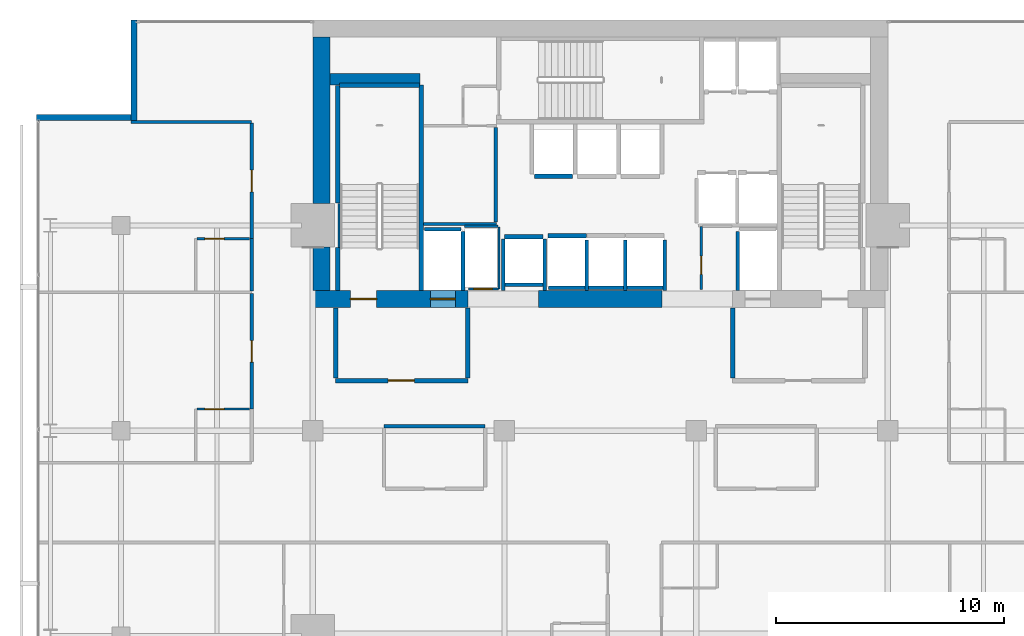
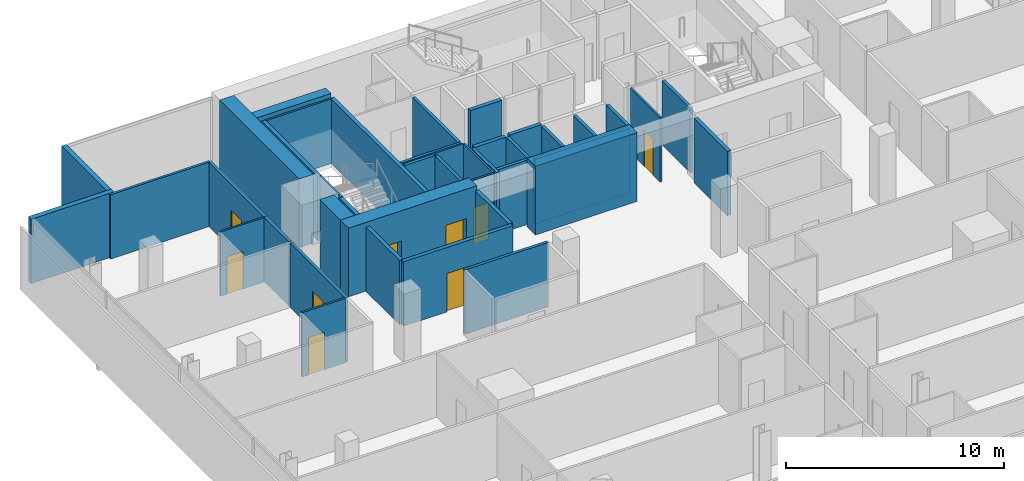
# One storey, part 29 of 33: 42 walls, 9 doors, 9 openings.
"""IFC4 building model written with IfcOpenShell, lengths in metres."""

from ifc_helpers import new_model, si_unit, direction, frame, frame_2d, origin, place, context, subcontext, project, spatial, rectangle, extrude, material, layer, layer_set, type_object, element, fill, save


model = new_model("IFC4")

# Units and contexts
model_context = context("Model", 3, precision=1e-05, world=origin(), true_north=direction((0.0, 1.0)))
body_context = subcontext(model_context, "Body", "Model", "MODEL_VIEW")
ifc_project = project(units=[si_unit("LENGTHUNIT", "METRE"), si_unit("AREAUNIT", "SQUARE_METRE"), si_unit("VOLUMEUNIT", "CUBIC_METRE"), si_unit("PLANEANGLEUNIT", "RADIAN"), si_unit("MASSUNIT", "GRAM", prefix="KILO")], contexts=[model_context])

# Site, building, storey
site_placement = place(None, origin())
site = spatial("IfcSite", under=ifc_project, at=site_placement, CompositionType="ELEMENT")
building_placement = place(site_placement, origin())
building = spatial("IfcBuilding", under=site, at=building_placement, Name="Maruvema Waterfront Hotel and Observation Tower", CompositionType="ELEMENT")
storey_placement = place(building_placement, frame((0.0, 0.0, 154.35009765625)))
storey = spatial("IfcBuildingStorey", under=building, at=storey_placement, Name="L37", CompositionType="ELEMENT", Elevation=154.35009765625)

# Walls
ifc_material_1 = material(Name="Twin-stud acoustic gypsum drywall", Category="gypsum")
ifc_layer_1 = layer(ifc_material_1, 0.14990234375, Name="Acoustic Corridor and Suite Demising Wall 150 mm")
ifc_layer_set_1 = layer_set([ifc_layer_1], Name="Twin-stud acoustic gypsum drywall")
wall_type_1 = type_object("IfcWallType", Name="Acoustic Corridor and Suite Demising Wall 150 mm", PredefinedType="PARTITIONING", material=ifc_layer_set_1)
wall_1_placement = place(storey_placement, frame((30.06005859375, 45.06005859375, 0.0), z_axis=(0.0, 0.0, 1.0), x_axis=(1.0, 0.0, 0.0)))
element("IfcWall", 1, at=wall_1_placement, inside=storey, type_object=wall_type_1, Name="L37 Freed B1 South Wall 012", PredefinedType="PARTITIONING", context=body_context, shape_type="SweptSolid", body=[
    extrude(rectangle(XDim=3.179931640625, YDim=0.14990234375, at=frame_2d((1.58984375, 0.0))), origin(), (0.0, 0.0, 1.0), 3.60986328125),
])
wall_2_placement = place(storey_placement, frame((33.219970703125, 45.139892578125, 0.0), z_axis=(0.0, 0.0, 1.0), x_axis=(0.0, 1.0, 0.0)))
element("IfcWall", 2, at=wall_2_placement, inside=storey, type_object=wall_type_1, Name="L37 Freed B1 East Wall 013", PredefinedType="PARTITIONING", context=body_context, shape_type="SweptSolid", body=[
    extrude(rectangle(XDim=4.16015625, YDim=0.14990234375, at=frame_2d((2.080078125, 0.0))), origin(), (0.0, 0.0, 1.0), 3.60986328125),
])
wall_3_placement = place(storey_placement, frame((28.320068359375, 36.199951171875, 0.0), z_axis=(0.0, 0.0, 1.0), x_axis=(1.0, 0.0, 0.0)))
element("IfcWall", 3, at=wall_3_placement, inside=storey, type_object=wall_type_1, Name="L37 L37-M1 Back Wall 017", PredefinedType="PARTITIONING", context=body_context, shape_type="SweptSolid", body=[
    extrude(rectangle(XDim=4.429931640625, YDim=0.14990234375, at=frame_2d((2.21484375, 0.0))), origin(), (0.0, 0.0, 1.0), 3.60986328125),
])

# Wall, opening, door
wall_4_placement = place(storey_placement, frame((22.52001953125, 36.949951171875, 0.0), z_axis=(0.0, 0.0, 1.0), x_axis=(0.0, 1.0, 0.0)))
wall_4 = element("IfcWall", 4, at=wall_4_placement, inside=storey, type_object=wall_type_1, Name="L37 Room L37-NW1 Corridor Wall 099", PredefinedType="PARTITIONING", context=body_context, shape_type="SweptSolid", body=[
    extrude(rectangle(XDim=5.058837890625, YDim=0.14990234375, at=frame_2d((2.529296875, 0.0))), origin(), (0.0, 0.0, 1.0), 3.60986328125),
])
opening_1_placement = place(wall_4_placement, frame((2.054443359375, 0.0, 0.0)))
opening_1 = element("IfcOpeningElement", 5, at=opening_1_placement, cuts=wall_4, Name="Opening DR-095", PredefinedType="OPENING", context=body_context, shape_type="SweptSolid", body=[
    extrude(rectangle(XDim=0.949951171875, YDim=2.14990234375, at=frame_2d((0.47509765625, 1.074951171875))), frame((0.0, 0.0849609375, 0.0), z_axis=(0.0, -1.0, 0.0), x_axis=(1.0, 0.0, 0.0)), (0.0, 0.0, 1.0), 0.169921875),
])
ifc_material_2 = material(Name="Acoustic solid-core hardwood timber leaf", Category="wood")
door_type_1 = type_object("IfcDoorType", Name="Guestroom Entrance Fire Door 950x2150 mm", OperationType="NOTDEFINED", PredefinedType="DOOR", material=ifc_material_2)
door_1_placement = place(opening_1_placement, origin())
door_1 = element("IfcDoor", 6, at=door_1_placement, inside=storey, type_object=door_type_1, Name="L37 Room L37-NW1 Entrance Door", OperationType="SINGLE_SWING_RIGHT", OverallHeight=2.14990234375, OverallWidth=0.949951171875, PredefinedType="DOOR", context=body_context, shape_type="SweptSolid", body=[
    extrude(rectangle(XDim=0.949951171875, YDim=2.14990234375, at=frame_2d((0.47509765625, 1.074951171875))), frame((0.0, 0.02490234375, 0.0), z_axis=(0.0, -1.0, 0.0), x_axis=(1.0, 0.0, 0.0)), (0.0, 0.0, 1.0), 0.050048828125),
])
fill(opening_1, door_1)

# Wall
wall_5_placement = place(storey_placement, frame((22.52001953125, 42.12890625, 0.0), z_axis=(0.0, 0.0, 1.0), x_axis=(0.0, 1.0, 0.0)))
element("IfcWall", 7, at=wall_5_placement, inside=storey, type_object=wall_type_1, Name="L37 Bath L37-NW2 Wall 108", PredefinedType="PARTITIONING", context=body_context, shape_type="SweptSolid", body=[
    extrude(rectangle(XDim=2.289794921875, YDim=0.14990234375, at=frame_2d((1.14501953125, 0.0))), origin(), (0.0, 0.0, 1.0), 3.60986328125),
])

# Wall, opening, door
wall_6_placement = place(storey_placement, frame((22.52001953125, 44.418701171875, 0.0), z_axis=(0.0, 0.0, 1.0), x_axis=(0.0, 1.0, 0.0)))
wall_6 = element("IfcWall", 8, at=wall_6_placement, inside=storey, type_object=wall_type_1, Name="L37 Room L37-NW2 Corridor Wall 109", PredefinedType="PARTITIONING", context=body_context, shape_type="SweptSolid", body=[
    extrude(rectangle(XDim=5.058837890625, YDim=0.14990234375, at=frame_2d((2.529296875, 0.0))), origin(), (0.0, 0.0, 1.0), 3.60986328125),
])
opening_2_placement = place(wall_6_placement, frame((2.054443359375, 0.0, 0.0)))
opening_2 = element("IfcOpeningElement", 9, at=opening_2_placement, cuts=wall_6, Name="Opening DR-095", PredefinedType="OPENING", context=body_context, shape_type="SweptSolid", body=[
    extrude(rectangle(XDim=0.949951171875, YDim=2.14990234375, at=frame_2d((0.47509765625, 1.074951171875))), frame((0.0, 0.0849609375, 0.0), z_axis=(0.0, -1.0, 0.0), x_axis=(1.0, 0.0, 0.0)), (0.0, 0.0, 1.0), 0.169921875),
])
door_2_placement = place(opening_2_placement, origin())
door_2 = element("IfcDoor", 10, at=door_2_placement, inside=storey, type_object=door_type_1, Name="L37 Room L37-NW2 Entrance Door", OperationType="SINGLE_SWING_RIGHT", OverallHeight=2.14990234375, OverallWidth=0.949951171875, PredefinedType="DOOR", context=body_context, shape_type="SweptSolid", body=[
    extrude(rectangle(XDim=0.949951171875, YDim=2.14990234375, at=frame_2d((0.47509765625, 1.074951171875))), frame((0.0, 0.02490234375, 0.0), z_axis=(0.0, -1.0, 0.0), x_axis=(1.0, 0.0, 0.0)), (0.0, 0.0, 1.0), 0.050048828125),
])
fill(opening_2, door_2)

# Walls
ifc_material_3 = material(Name="Precast concrete C45/55", Category="concrete")
ifc_layer_2 = layer(ifc_material_3, 0.199951171875, Name="Core Shaft and Stairwell Enclosure Wall 200 mm")
ifc_layer_set_2 = layer_set([ifc_layer_2], Name="Precast concrete C45/55")
wall_type_2 = type_object("IfcWallType", Name="Core Shaft and Stairwell Enclosure Wall 200 mm", PredefinedType="SOLIDWALL", material=ifc_layer_set_2)
wall_7_placement = place(storey_placement, frame((29.949951171875, 42.14990234375, 0.0), z_axis=(0.0, 0.0, 1.0), x_axis=(0.0, 1.0, 0.0)))
element("IfcWall", 11, at=wall_7_placement, inside=storey, type_object=wall_type_2, Name="L37 Stairwell ST-01 East Shaft Wall", PredefinedType="SOLIDWALL", context=body_context, shape_type="SweptSolid", body=[
    extrude(rectangle(XDim=9.0, YDim=0.199951171875, at=frame_2d((4.5, 0.0))), origin(), (0.0, 0.0, 1.0), 3.60986328125),
])
wall_8_placement = place(storey_placement, frame((26.300048828125, 42.14990234375, 0.0), z_axis=(0.0, 0.0, 1.0), x_axis=(0.0, 1.0, 0.0)))
element("IfcWall", 12, at=wall_8_placement, inside=storey, type_object=wall_type_2, Name="L37 Stairwell ST-01 Shaft Lining Wall", PredefinedType="SOLIDWALL", context=body_context, shape_type="SweptSolid", body=[
    extrude(rectangle(XDim=1.8701171875, YDim=0.199951171875, at=frame_2d((0.93505859375, 0.0))), origin(), (0.0, 0.0, 1.0), 3.60986328125),
])
wall_9_placement = place(storey_placement, frame((26.300048828125, 45.97998046875, 0.0), z_axis=(0.0, 0.0, 1.0), x_axis=(0.0, 1.0, 0.0)))
element("IfcWall", 13, at=wall_9_placement, inside=storey, type_object=wall_type_2, Name="L37 Stairwell ST-01 Shaft Lining Wall", PredefinedType="SOLIDWALL", context=body_context, shape_type="SweptSolid", body=[
    extrude(rectangle(XDim=5.14013671875, YDim=0.199951171875, at=frame_2d((2.570068359375, 0.0))), origin(), (0.0, 0.0, 1.0), 3.60986328125),
])
wall_10_placement = place(storey_placement, frame((26.3798828125, 51.14990234375, 0.0), z_axis=(0.0, 0.0, 1.0), x_axis=(1.0, 0.0, 0.0)))
element("IfcWall", 14, at=wall_10_placement, inside=storey, type_object=wall_type_2, Name="L37 Stairwell ST-01 Shaft Lining Wall", PredefinedType="SOLIDWALL", context=body_context, shape_type="SweptSolid", body=[
    extrude(rectangle(XDim=3.5, YDim=0.199951171875, at=frame_2d((1.75, 0.0))), origin(), (0.0, 0.0, 1.0), 3.60986328125),
])
wall_11_placement = place(storey_placement, frame((35.510009765625, 44.550048828125, 0.0), z_axis=(0.0, 0.0, 1.0), x_axis=(1.0, 0.0, 0.0)))
element("IfcWall", 15, at=wall_11_placement, inside=storey, type_object=wall_type_2, Name="L37 Lift LF-09 Hoistway Front Wall", PredefinedType="SOLIDWALL", context=body_context, shape_type="SweptSolid", body=[
    extrude(rectangle(XDim=1.679931640625, YDim=0.199951171875, at=frame_2d((0.83984375, 0.0))), origin(), (0.0, 0.0, 1.0), 3.60986328125),
])
wall_12_placement = place(storey_placement, frame((34.909912109375, 47.14990234375, 0.0), z_axis=(0.0, 0.0, 1.0), x_axis=(1.0, 0.0, 0.0)))
element("IfcWall", 16, at=wall_12_placement, inside=storey, type_object=wall_type_2, Name="L37 Lift LF-12 Hoistway Front Wall", PredefinedType="SOLIDWALL", context=body_context, shape_type="SweptSolid", body=[
    extrude(rectangle(XDim=1.68017578125, YDim=0.199951171875, at=frame_2d((0.840087890625, 0.0))), origin(), (0.0, 0.0, 1.0), 3.60986328125),
])
wall_13_placement = place(storey_placement, frame((33.610107421875, 44.5, 0.0), z_axis=(0.0, 0.0, 1.0), x_axis=(1.0, 0.0, 0.0)))
element("IfcWall", 17, at=wall_13_placement, inside=storey, type_object=wall_type_2, Name="L37 Lift LF-15 Hoistway Front Wall", PredefinedType="SOLIDWALL", context=body_context, shape_type="SweptSolid", body=[
    extrude(rectangle(XDim=1.679931640625, YDim=0.199951171875, at=frame_2d((0.83984375, 0.0))), origin(), (0.0, 0.0, 1.0), 3.60986328125),
])
ifc_material_4 = material(Name="Concrete C70/85", Category="concrete")
ifc_layer_3 = layer(ifc_material_4, 0.5, Name="Core Shear Wall 500 mm")
ifc_layer_set_3 = layer_set([ifc_layer_3], Name="Concrete C70/85")
wall_type_3 = type_object("IfcWallType", Name="Core Shear Wall 500 mm", PredefinedType="SHEAR", material=ifc_layer_set_3)
wall_14_placement = place(storey_placement, frame((25.949951171875, 51.39990234375, 0.0), z_axis=(0.0, 0.0, 1.0), x_axis=(1.0, 0.0, 0.0)))
element("IfcWall", 18, at=wall_14_placement, inside=storey, type_object=wall_type_3, Name="L37 Internal Core Shear Wall NW 500 mm", PredefinedType="SHEAR", context=body_context, shape_type="SweptSolid", body=[
    extrude(rectangle(XDim=3.949951171875, YDim=0.5, at=frame_2d((1.97509765625, 0.0))), origin(), (0.0, 0.0, 1.0), 3.849853515625),
])

# Wall, openings, doors
ifc_material_5 = material(Name="Concrete C70/85", Category="concrete")
ifc_layer_4 = layer(ifc_material_5, 0.75, Name="Core Shear Wall 750 mm")
ifc_layer_set_4 = layer_set([ifc_layer_4], Name="Concrete C70/85")
wall_type_4 = type_object("IfcWallType", Name="Core Shear Wall 750 mm", PredefinedType="SHEAR", material=ifc_layer_set_4)
wall_15_placement = place(storey_placement, frame((25.199951171875, 41.77490234375, 0.0), z_axis=(0.0, 0.0, 1.0), x_axis=(1.0, 0.0, 0.0)))
wall_15 = element("IfcWall", 19, at=wall_15_placement, inside=storey, type_object=wall_type_4, Name="L37 South-West Core Shear Wall", PredefinedType="SHEAR", context=body_context, shape_type="SweptSolid", body=[
    extrude(rectangle(XDim=6.800048828125, YDim=0.75, at=frame_2d((3.39990234375, 0.0))), origin(), (0.0, 0.0, 1.0), 3.849853515625),
])
opening_3_placement = place(wall_15_placement, frame((1.64990234375, 0.0, 0.0)))
opening_3 = element("IfcOpeningElement", 20, at=opening_3_placement, cuts=wall_15, Name="Opening SD-01", PredefinedType="OPENING", context=body_context, shape_type="SweptSolid", body=[
    extrude(rectangle(XDim=1.14990234375, YDim=2.14990234375, at=frame_2d((0.574951171875, 1.074951171875))), frame((0.0, 0.385009765625, 0.0), z_axis=(0.0, -1.0, 0.0), x_axis=(1.0, 0.0, 0.0)), (0.0, 0.0, 1.0), 0.77001953125),
])
opening_4_placement = place(wall_15_placement, frame((5.14990234375, 0.0, 0.0)))
opening_4 = element("IfcOpeningElement", 21, at=opening_4_placement, cuts=wall_15, Name="Opening LD-03", PredefinedType="OPENING", context=body_context, shape_type="SweptSolid", body=[
    extrude(rectangle(XDim=1.10009765625, YDim=2.199951171875, at=frame_2d((0.550048828125, 1.10009765625))), frame((0.0, 0.385009765625, 0.0), z_axis=(0.0, -1.0, 0.0), x_axis=(1.0, 0.0, 0.0)), (0.0, 0.0, 1.0), 0.77001953125),
])
ifc_material_6 = material(Name="Fire-rated galvanised steel leaf", Category="steel")
door_type_2 = type_object("IfcDoorType", Name="Exit Stair Fire Door 1150x2150 mm", OperationType="NOTDEFINED", PredefinedType="DOOR", material=ifc_material_6)
door_3_placement = place(opening_3_placement, origin())
door_3 = element("IfcDoor", 22, at=door_3_placement, inside=storey, type_object=door_type_2, Name="L37 Exit Stair ST-01 Fire Door", OperationType="SINGLE_SWING_LEFT", OverallHeight=2.14990234375, OverallWidth=1.14990234375, PredefinedType="DOOR", context=body_context, shape_type="SweptSolid", body=[
    extrude(rectangle(XDim=1.14990234375, YDim=2.14990234375, at=frame_2d((0.574951171875, 1.074951171875))), frame((0.0, 0.02490234375, 0.0), z_axis=(0.0, -1.0, 0.0), x_axis=(1.0, 0.0, 0.0)), (0.0, 0.0, 1.0), 0.050048828125),
])
fill(opening_3, door_3)
ifc_material_7 = material(Name="Brushed stainless steel Grade 316", Category="steel")
door_type_3 = type_object("IfcDoorType", Name="Firefighting Lift Sliding Landing Door 1100x2200 mm", OperationType="SLIDING_TO_LEFT", PredefinedType="DOOR", material=ifc_material_7)
door_4_placement = place(opening_4_placement, frame((1.10009765625, 0.0, 0.0), z_axis=(0.0, 0.0, 1.0), x_axis=(-1.0, 0.0, 0.0)))
door_4 = element("IfcDoor", 23, at=door_4_placement, inside=storey, type_object=door_type_3, Name="L37 Firefighting Lift FL-01 Landing Door", OperationType="SLIDING_TO_LEFT", OverallHeight=2.199951171875, OverallWidth=1.10009765625, PredefinedType="DOOR", context=body_context, shape_type="SweptSolid", body=[
    extrude(rectangle(XDim=1.10009765625, YDim=2.199951171875, at=frame_2d((0.550048828125, 1.10009765625))), frame((0.0, 0.02490234375, 0.0), z_axis=(0.0, -1.0, 0.0), x_axis=(1.0, 0.0, 0.0)), (0.0, 0.0, 1.0), 0.050048828125),
])
fill(opening_4, door_4)

# Walls
wall_16_placement = place(storey_placement, frame((35.10009765625, 41.77490234375, 0.0), z_axis=(0.0, 0.0, 1.0), x_axis=(1.0, 0.0, 0.0)))
element("IfcWall", 24, at=wall_16_placement, inside=storey, type_object=wall_type_4, Name="L37 South-Central Core Shear Wall", PredefinedType="SHEAR", context=body_context, shape_type="SweptSolid", body=[
    extrude(rectangle(XDim=5.39990234375, YDim=0.75, at=frame_2d((2.699951171875, 0.0))), origin(), (0.0, 0.0, 1.0), 3.849853515625),
])
wall_17_placement = place(storey_placement, frame((25.574951171875, 42.14990234375, 0.0), z_axis=(0.0, 0.0, 1.0), x_axis=(0.0, 1.0, 0.0)))
element("IfcWall", 25, at=wall_17_placement, inside=storey, type_object=wall_type_4, Name="L37 West-South Core Shear Wall", PredefinedType="SHEAR", context=body_context, shape_type="SweptSolid", body=[
    extrude(rectangle(XDim=1.900146484375, YDim=0.75, at=frame_2d((0.9501953125, 0.0))), origin(), (0.0, 0.0, 1.0), 3.849853515625),
])
wall_18_placement = place(storey_placement, frame((25.574951171875, 45.949951171875, 0.0), z_axis=(0.0, 0.0, 1.0), x_axis=(0.0, 1.0, 0.0)))
element("IfcWall", 26, at=wall_18_placement, inside=storey, type_object=wall_type_4, Name="L37 West-North Core Shear Wall", PredefinedType="SHEAR", context=body_context, shape_type="SweptSolid", body=[
    extrude(rectangle(XDim=7.300048828125, YDim=0.75, at=frame_2d((3.64990234375, 0.0))), origin(), (0.0, 0.0, 1.0), 3.849853515625),
])

# Wall, opening, door
ifc_material_8 = material(Name="Moisture-resistant cement-board drywall", Category="gypsum")
ifc_layer_5 = layer(ifc_material_8, 0.10009765625, Name="En-Suite Moisture-Resistant Partition 100 mm")
ifc_layer_set_5 = layer_set([ifc_layer_5], Name="Moisture-resistant cement-board drywall")
wall_type_5 = type_object("IfcWallType", Name="En-Suite Moisture-Resistant Partition 100 mm", PredefinedType="PARTITIONING", material=ifc_layer_set_5)
wall_19_placement = place(storey_placement, frame((32.02001953125, 42.2099609375, 0.0), z_axis=(0.0, 0.0, 1.0), x_axis=(1.0, 0.0, 0.0)))
wall_19 = element("IfcWall", 27, at=wall_19_placement, inside=storey, type_object=wall_type_5, Name="L37 Telecom Riser South Wall 007", PredefinedType="PARTITIONING", context=body_context, shape_type="SweptSolid", body=[
    extrude(rectangle(XDim=1.320068359375, YDim=0.10009765625, at=frame_2d((0.66015625, 0.0))), origin(), (0.0, 0.0, 1.0), 3.60986328125),
])
opening_5_placement = place(wall_19_placement, frame((0.239990234375, 0.0, 0.0)))
opening_5 = element("IfcOpeningElement", 28, at=opening_5_placement, cuts=wall_19, Name="Opening DR-080", PredefinedType="OPENING", context=body_context, shape_type="SweptSolid", body=[
    extrude(rectangle(XDim=0.800048828125, YDim=2.050048828125, at=frame_2d((0.39990234375, 1.02490234375))), frame((0.0, 0.06005859375, 0.0), z_axis=(0.0, -1.0, 0.0), x_axis=(1.0, 0.0, 0.0)), (0.0, 0.0, 1.0), 0.1201171875),
])
ifc_material_9 = material(Name="Powder-coated steel access leaf", Category="steel")
door_type_4 = type_object("IfcDoorType", Name="Riser and Service Cupboard Door 800x2050 mm", OperationType="NOTDEFINED", PredefinedType="DOOR", material=ifc_material_9)
door_5_placement = place(opening_5_placement, frame((0.800048828125, 0.0, 0.0), z_axis=(0.0, 0.0, 1.0), x_axis=(-1.0, 0.0, 0.0)))
door_5 = element("IfcDoor", 29, at=door_5_placement, inside=storey, type_object=door_type_4, Name="L37 Telecom Riser Door", OperationType="SINGLE_SWING_LEFT", OverallHeight=2.050048828125, OverallWidth=0.800048828125, PredefinedType="DOOR", context=body_context, shape_type="SweptSolid", body=[
    extrude(rectangle(XDim=0.800048828125, YDim=2.050048828125, at=frame_2d((0.39990234375, 1.02490234375))), frame((0.0, 0.02490234375, 0.0), z_axis=(0.0, -1.0, 0.0), x_axis=(1.0, 0.0, 0.0)), (0.0, 0.0, 1.0), 0.050048828125),
])
fill(opening_5, door_5)

# Walls
wall_20_placement = place(storey_placement, frame((31.840087890625, 44.9599609375, 0.0), z_axis=(0.0, 0.0, 1.0), x_axis=(1.0, 0.0, 0.0)))
element("IfcWall", 30, at=wall_20_placement, inside=storey, type_object=wall_type_5, Name="L37 Telecom Riser North Wall 008", PredefinedType="PARTITIONING", context=body_context, shape_type="SweptSolid", body=[
    extrude(rectangle(XDim=1.47998046875, YDim=0.10009765625, at=frame_2d((0.739990234375, 0.0))), origin(), (0.0, 0.0, 1.0), 3.60986328125),
])
wall_21_placement = place(storey_placement, frame((33.360107421875, 42.2099609375, 0.0), z_axis=(0.0, 0.0, 1.0), x_axis=(0.0, 1.0, 0.0)))
element("IfcWall", 31, at=wall_21_placement, inside=storey, type_object=wall_type_5, Name="L37 Telecom Riser East Wall 009", PredefinedType="PARTITIONING", context=body_context, shape_type="SweptSolid", body=[
    extrude(rectangle(XDim=2.72998046875, YDim=0.10009765625, at=frame_2d((1.364990234375, 0.0))), origin(), (0.0, 0.0, 1.0), 3.60986328125),
])

# Wall, opening, door
wall_22_placement = place(storey_placement, frame((42.219970703125, 42.199951171875, 0.0), z_axis=(0.0, 0.0, 1.0), x_axis=(0.0, 1.0, 0.0)))
wall_22 = element("IfcWall", 32, at=wall_22_placement, inside=storey, type_object=wall_type_5, Name="L37 Core Closet K1 West 010", PredefinedType="PARTITIONING", context=body_context, shape_type="SweptSolid", body=[
    extrude(rectangle(XDim=2.760009765625, YDim=0.10009765625, at=frame_2d((1.3798828125, 0.0))), origin(), (0.0, 0.0, 1.0), 3.60986328125),
])
opening_6_placement = place(wall_22_placement, frame((0.64990234375, 0.0, 0.0)))
opening_6 = element("IfcOpeningElement", 33, at=opening_6_placement, cuts=wall_22, Name="Opening DR-080", PredefinedType="OPENING", context=body_context, shape_type="SweptSolid", body=[
    extrude(rectangle(XDim=0.800048828125, YDim=2.050048828125, at=frame_2d((0.39990234375, 1.02490234375))), frame((0.0, 0.06005859375, 0.0), z_axis=(0.0, -1.0, 0.0), x_axis=(1.0, 0.0, 0.0)), (0.0, 0.0, 1.0), 0.1201171875),
])
door_6_placement = place(opening_6_placement, frame((0.800048828125, 0.0, 0.0), z_axis=(0.0, 0.0, 1.0), x_axis=(-1.0, 0.0, 0.0)))
door_6 = element("IfcDoor", 34, at=door_6_placement, inside=storey, type_object=door_type_4, Name="L37 Core Cleaning Store Door", OperationType="SINGLE_SWING_RIGHT", OverallHeight=2.050048828125, OverallWidth=0.800048828125, PredefinedType="DOOR", context=body_context, shape_type="SweptSolid", body=[
    extrude(rectangle(XDim=0.800048828125, YDim=2.050048828125, at=frame_2d((0.39990234375, 1.02490234375))), frame((0.0, 0.02490234375, 0.0), z_axis=(0.0, -1.0, 0.0), x_axis=(1.0, 0.0, 0.0)), (0.0, 0.0, 1.0), 0.050048828125),
])
fill(opening_6, door_6)

wall_23_placement = place(storey_placement, frame((20.1201171875, 36.949951171875, 0.0), z_axis=(0.0, 0.0, 1.0), x_axis=(1.0, 0.0, 0.0)))
wall_23 = element("IfcWall", 35, at=wall_23_placement, inside=storey, type_object=wall_type_5, Name="L37 En-Suite L37-NW1 N 101", PredefinedType="PARTITIONING", context=body_context, shape_type="SweptSolid", body=[
    extrude(rectangle(XDim=2.2998046875, YDim=0.10009765625, at=frame_2d((1.14990234375, 0.0))), origin(), (0.0, 0.0, 1.0), 3.60986328125),
])
opening_7_placement = place(wall_23_placement, frame((0.35009765625, 0.0, 0.0)))
opening_7 = element("IfcOpeningElement", 36, at=opening_7_placement, cuts=wall_23, Name="Opening DR-085", PredefinedType="OPENING", context=body_context, shape_type="SweptSolid", body=[
    extrude(rectangle(XDim=0.85009765625, YDim=2.10009765625, at=frame_2d((0.425048828125, 1.050048828125))), frame((0.0, 0.06005859375, 0.0), z_axis=(0.0, -1.0, 0.0), x_axis=(1.0, 0.0, 0.0)), (0.0, 0.0, 1.0), 0.1201171875),
])
ifc_material_10 = material(Name="Moisture-resistant solid timber leaf", Category="wood")
door_type_5 = type_object("IfcDoorType", Name="En-Suite Bathroom Door 850x2100 mm", OperationType="NOTDEFINED", PredefinedType="DOOR", material=ifc_material_10)
door_7_placement = place(opening_7_placement, origin())
door_7 = element("IfcDoor", 37, at=door_7_placement, inside=storey, type_object=door_type_5, Name="L37 En-Suite L37-NW1 Door", OperationType="SINGLE_SWING_LEFT", OverallHeight=2.10009765625, OverallWidth=0.85009765625, PredefinedType="DOOR", context=body_context, shape_type="SweptSolid", body=[
    extrude(rectangle(XDim=0.85009765625, YDim=2.10009765625, at=frame_2d((0.425048828125, 1.050048828125))), frame((0.0, 0.02490234375, 0.0), z_axis=(0.0, -1.0, 0.0), x_axis=(1.0, 0.0, 0.0)), (0.0, 0.0, 1.0), 0.050048828125),
])
fill(opening_7, door_7)

wall_24_placement = place(storey_placement, frame((20.1201171875, 44.418701171875, 0.0), z_axis=(0.0, 0.0, 1.0), x_axis=(1.0, 0.0, 0.0)))
wall_24 = element("IfcWall", 38, at=wall_24_placement, inside=storey, type_object=wall_type_5, Name="L37 En-Suite L37-NW2 N 111", PredefinedType="PARTITIONING", context=body_context, shape_type="SweptSolid", body=[
    extrude(rectangle(XDim=2.2998046875, YDim=0.10009765625, at=frame_2d((1.14990234375, 0.0))), origin(), (0.0, 0.0, 1.0), 3.60986328125),
])
opening_8_placement = place(wall_24_placement, frame((0.35009765625, 0.0, 0.0)))
opening_8 = element("IfcOpeningElement", 39, at=opening_8_placement, cuts=wall_24, Name="Opening DR-085", PredefinedType="OPENING", context=body_context, shape_type="SweptSolid", body=[
    extrude(rectangle(XDim=0.85009765625, YDim=2.10009765625, at=frame_2d((0.425048828125, 1.050048828125))), frame((0.0, 0.06005859375, 0.0), z_axis=(0.0, -1.0, 0.0), x_axis=(1.0, 0.0, 0.0)), (0.0, 0.0, 1.0), 0.1201171875),
])
door_8_placement = place(opening_8_placement, origin())
door_8 = element("IfcDoor", 40, at=door_8_placement, inside=storey, type_object=door_type_5, Name="L37 En-Suite L37-NW2 Door", OperationType="SINGLE_SWING_LEFT", OverallHeight=2.10009765625, OverallWidth=0.85009765625, PredefinedType="DOOR", context=body_context, shape_type="SweptSolid", body=[
    extrude(rectangle(XDim=0.85009765625, YDim=2.10009765625, at=frame_2d((0.425048828125, 1.050048828125))), frame((0.0, 0.02490234375, 0.0), z_axis=(0.0, -1.0, 0.0), x_axis=(1.0, 0.0, 0.0)), (0.0, 0.0, 1.0), 0.050048828125),
])
fill(opening_8, door_8)

# Walls
ifc_material_11 = material(Name="Precast concrete C45/55 with honed Pernambuco granite facing", Category="masonry")
ifc_layer_6 = layer(ifc_material_11, 0.260009765625, Name="Exterior Granite Clad Spandrel and Pier Wall 260 mm")
ifc_layer_set_6 = layer_set([ifc_layer_6], Name="Precast concrete C45/55 with honed Pernambuco granite facing")
wall_type_6 = type_object("IfcWallType", Name="Exterior Granite Clad Spandrel and Pier Wall 260 mm", PredefinedType="SOLIDWALL", material=ifc_layer_set_6)
for number, where, z_axis, x_axis, name in (
    (41, (17.3701171875, 49.60009765625, 0.0), (0.0, 0.0, 1.0), (0.0, 1.0, 0.0), "L37 Corner Notch Granite Pier Wall NW1"),
    (42, (13.10009765625, 49.72998046875, 0.0), (0.0, 0.0, 1.0), (1.0, 0.0, 0.0), "L37 Corner Notch Granite Pier Wall NW2"),
):
    element("IfcWall", number, at=place(storey_placement, frame(where, z_axis=z_axis, x_axis=x_axis)), inside=storey, type_object=wall_type_6, Name=name, PredefinedType="SOLIDWALL", context=body_context, shape_type="SweptSolid", body=[
        extrude(rectangle(XDim=4.39990234375, YDim=0.260009765625, at=frame_2d((2.199951171875, 0.0))), origin(), (0.0, 0.0, 1.0), 3.60986328125),
    ])

# Wall, opening, door
ifc_material_12 = material(Name="Autoclaved cellular concrete blockwork", Category="masonry")
ifc_layer_7 = layer(ifc_material_12, 0.199951171875, Name="Fire Compartment Masonry Wall 200 mm")
ifc_layer_set_7 = layer_set([ifc_layer_7], Name="Autoclaved cellular concrete blockwork")
wall_type_7 = type_object("IfcWallType", Name="Fire Compartment Masonry Wall 200 mm", PredefinedType="PARTITIONING", material=ifc_layer_set_7)
wall_25_placement = place(storey_placement, frame((26.199951171875, 38.199951171875, 0.0), z_axis=(0.0, 0.0, 1.0), x_axis=(1.0, 0.0, 0.0)))
wall_25 = element("IfcWall", 43, at=wall_25_placement, inside=storey, type_object=wall_type_7, Name="L37 FFL West South Wall 001", PredefinedType="PARTITIONING", context=body_context, shape_type="SweptSolid", body=[
    extrude(rectangle(XDim=5.800048828125, YDim=0.199951171875, at=frame_2d((2.89990234375, 0.0))), origin(), (0.0, 0.0, 1.0), 3.60986328125),
])
opening_9_placement = place(wall_25_placement, frame((2.300048828125, 0.0, 0.0)))
opening_9 = element("IfcOpeningElement", 44, at=opening_9_placement, cuts=wall_25, Name="Opening FD-115", PredefinedType="OPENING", context=body_context, shape_type="SweptSolid", body=[
    extrude(rectangle(XDim=1.14990234375, YDim=2.14990234375, at=frame_2d((0.574951171875, 1.074951171875))), frame((0.0, 0.10986328125, 0.0), z_axis=(0.0, -1.0, 0.0), x_axis=(1.0, 0.0, 0.0)), (0.0, 0.0, 1.0), 0.219970703125),
])
ifc_material_13 = material(Name="Fire-rated galvanised steel and vision glass", Category="steel")
door_type_6 = type_object("IfcDoorType", Name="Firefighting Lobby Fire Door 1150x2150 mm", OperationType="NOTDEFINED", PredefinedType="DOOR", material=ifc_material_13)
door_9_placement = place(opening_9_placement, frame((1.14990234375, 0.0, 0.0), z_axis=(0.0, 0.0, 1.0), x_axis=(-1.0, 0.0, 0.0)))
door_9 = element("IfcDoor", 45, at=door_9_placement, inside=storey, type_object=door_type_6, Name="L37 Firefighting Lobby West Door", OperationType="SINGLE_SWING_LEFT", OverallHeight=2.14990234375, OverallWidth=1.14990234375, PredefinedType="DOOR", context=body_context, shape_type="SweptSolid", body=[
    extrude(rectangle(XDim=1.14990234375, YDim=2.14990234375, at=frame_2d((0.574951171875, 1.074951171875))), frame((0.0, 0.02490234375, 0.0), z_axis=(0.0, -1.0, 0.0), x_axis=(1.0, 0.0, 0.0)), (0.0, 0.0, 1.0), 0.050048828125),
])
fill(opening_9, door_9)

# Walls
for number, where, z_axis, x_axis, name in (
    (46, (26.199951171875, 38.31005859375, 0.0), (0.0, 0.0, 1.0), (0.0, 1.0, 0.0), "L37 FFL West West Wall 002"),
    (47, (32.0, 38.31005859375, 0.0), (0.0, 0.0, 1.0), (0.0, 1.0, 0.0), "L37 FFL West East Wall 003"),
    (48, (43.60009765625, 38.31005859375, 0.0), (0.0, 0.0, 1.0), (0.0, 1.0, 0.0), "L37 FFL East West Wall 005"),
):
    element("IfcWall", number, at=place(storey_placement, frame(where, z_axis=z_axis, x_axis=x_axis)), inside=storey, type_object=wall_type_7, Name=name, PredefinedType="PARTITIONING", context=body_context, shape_type="SweptSolid", body=[
        extrude(rectangle(XDim=3.06982421875, YDim=0.199951171875, at=frame_2d((1.534912109375, 0.0))), origin(), (0.0, 0.0, 1.0), 3.60986328125),
    ])
ifc_material_14 = material(Name="Acoustic gypsum plasterboard drywall", Category="gypsum")
ifc_layer_8 = layer(ifc_material_14, 0.125, Name="Guestroom Acoustic Demising Wall 125 mm")
ifc_layer_set_8 = layer_set([ifc_layer_8], Name="Acoustic gypsum plasterboard drywall")
wall_type_8 = type_object("IfcWallType", Name="Guestroom Acoustic Demising Wall 125 mm", PredefinedType="PARTITIONING", material=ifc_layer_set_8)
wall_26_placement = place(storey_placement, frame((17.239990234375, 49.53759765625, 0.0), z_axis=(0.0, 0.0, 1.0), x_axis=(1.0, 0.0, 0.0)))
element("IfcWall", 49, at=wall_26_placement, inside=storey, type_object=wall_type_8, Name="L37 Z2 NW Top End 096", PredefinedType="PARTITIONING", context=body_context, shape_type="SweptSolid", body=[
    extrude(rectangle(XDim=5.280029296875, YDim=0.125, at=frame_2d((2.64013671875, 0.0))), origin(), (0.0, 0.0, 1.0), 3.60986328125),
])
ifc_material_15 = material(Name="Precast concrete C45/55", Category="concrete")
ifc_layer_9 = layer(ifc_material_15, 0.159912109375, Name="Lift Hoistway Divider Wall 160 mm")
ifc_layer_set_9 = layer_set([ifc_layer_9], Name="Precast concrete C45/55")
wall_type_9 = type_object("IfcWallType", Name="Lift Hoistway Divider Wall 160 mm", PredefinedType="SOLIDWALL", material=ifc_layer_set_9)
wall_27_placement = place(storey_placement, frame((30.10009765625, 44.830078125, 0.0), z_axis=(0.0, 0.0, 1.0), x_axis=(1.0, 0.0, 0.0)))
element("IfcWall", 50, at=wall_27_placement, inside=storey, type_object=wall_type_9, Name="L37 Lift FL-01 Rear Hoistway Wall", PredefinedType="SOLIDWALL", context=body_context, shape_type="SweptSolid", body=[
    extrude(rectangle(XDim=1.599853515625, YDim=0.159912109375, at=frame_2d((0.7998046875, 0.0))), origin(), (0.0, 0.0, 1.0), 3.60986328125),
])
for number, where, z_axis, x_axis, name in (
    (51, (31.780029296875, 42.14990234375, 0.0), (0.0, 0.0, 1.0), (0.0, 1.0, 0.0), "L37 Lift FL-01 Inner Hoistway Wall"),
    (52, (43.820068359375, 42.14990234375, 0.0), (0.0, 0.0, 1.0), (0.0, 1.0, 0.0), "L37 Lift FL-02 Inner Hoistway Wall"),
):
    element("IfcWall", number, at=place(storey_placement, frame(where, z_axis=z_axis, x_axis=x_axis)), inside=storey, type_object=wall_type_9, Name=name, PredefinedType="SOLIDWALL", context=body_context, shape_type="SweptSolid", body=[
        extrude(rectangle(XDim=2.590087890625, YDim=0.159912109375, at=frame_2d((1.294921875, 0.0))), origin(), (0.0, 0.0, 1.0), 3.60986328125),
    ])
for number, where, z_axis, x_axis, name in (
    (53, (37.199951171875, 42.14990234375, 0.0), (0.0, 0.0, 1.0), (0.0, 1.0, 0.0), "L37 Hoistway Divider Wall"),
    (54, (38.89990234375, 42.14990234375, 0.0), (0.0, 0.0, 1.0), (0.0, 1.0, 0.0), "L37 Hoistway Divider Wall"),
    (55, (40.6201171875, 42.14990234375, 0.0), (0.0, 0.0, 1.0), (0.0, 1.0, 0.0), "L37 Hoistway Divider Wall"),
):
    element("IfcWall", number, at=place(storey_placement, frame(where, z_axis=z_axis, x_axis=x_axis)), inside=storey, type_object=wall_type_9, Name=name, PredefinedType="SOLIDWALL", context=body_context, shape_type="SweptSolid", body=[
        extrude(rectangle(XDim=2.2001953125, YDim=0.159912109375, at=frame_2d((1.10009765625, 0.0))), origin(), (0.0, 0.0, 1.0), 3.60986328125),
    ])
wall_28_placement = place(storey_placement, frame((35.52001953125, 42.260009765625, 0.0), z_axis=(0.0, 0.0, 1.0), x_axis=(1.0, 0.0, 0.0)))
element("IfcWall", 56, at=wall_28_placement, inside=storey, type_object=wall_type_9, Name="L37 Hoistway Divider Wall", PredefinedType="SOLIDWALL", context=body_context, shape_type="SweptSolid", body=[
    extrude(rectangle(XDim=5.02001953125, YDim=0.159912109375, at=frame_2d((2.510009765625, 0.0))), origin(), (0.0, 0.0, 1.0), 3.60986328125),
])
for number, where, z_axis, x_axis, name in (
    (57, (33.5400390625, 42.14990234375, 0.0), (0.0, 0.0, 1.0), (0.0, 1.0, 0.0), "L37 Hoistway Divider Wall"),
    (58, (35.360107421875, 42.14990234375, 0.0), (0.0, 0.0, 1.0), (0.0, 1.0, 0.0), "L37 Hoistway Divider Wall"),
):
    element("IfcWall", number, at=place(storey_placement, frame(where, z_axis=z_axis, x_axis=x_axis)), inside=storey, type_object=wall_type_9, Name=name, PredefinedType="SOLIDWALL", context=body_context, shape_type="SweptSolid", body=[
        extrude(rectangle(XDim=2.25, YDim=0.159912109375, at=frame_2d((1.125, 0.0))), origin(), (0.0, 0.0, 1.0), 3.60986328125),
    ])
wall_29_placement = place(storey_placement, frame((33.6201171875, 42.39990234375, 0.0), z_axis=(0.0, 0.0, 1.0), x_axis=(1.0, 0.0, 0.0)))
element("IfcWall", 59, at=wall_29_placement, inside=storey, type_object=wall_type_9, Name="L37 Hoistway Divider Wall", PredefinedType="SOLIDWALL", context=body_context, shape_type="SweptSolid", body=[
    extrude(rectangle(XDim=1.659912109375, YDim=0.159912109375, at=frame_2d((0.830078125, 0.0))), origin(), (0.0, 0.0, 1.0), 3.60986328125),
])
ifc_material_16 = material(Name="Precast concrete C45/55", Category="concrete")
ifc_layer_10 = layer(ifc_material_16, 0.10009765625, Name="Stairwell Stringer Cheek Wall 100 mm")
ifc_layer_set_10 = layer_set([ifc_layer_10], Name="Precast concrete C45/55")
wall_type_10 = type_object("IfcWallType", Name="Stairwell Stringer Cheek Wall 100 mm", PredefinedType="SOLIDWALL", material=ifc_layer_set_10)
wall_30_placement = place(storey_placement, frame((26.35205078125, 44.0400390625, 0.0), z_axis=(0.0, 0.0, 1.0), x_axis=(0.0, 1.0, 0.0)))
element("IfcWall", 60, at=wall_30_placement, inside=storey, type_object=wall_type_10, Name="L37 Stairwell ST-01 Mega-Column Cheek Wall", PredefinedType="SOLIDWALL", context=body_context, shape_type="SweptSolid", body=[
    extrude(rectangle(XDim=1.919921875, YDim=0.10009765625, at=frame_2d((0.9599609375, 0.0))), origin(), (0.0, 0.0, 1.0), 3.60986328125),
])

save(model, "model.ifc")
